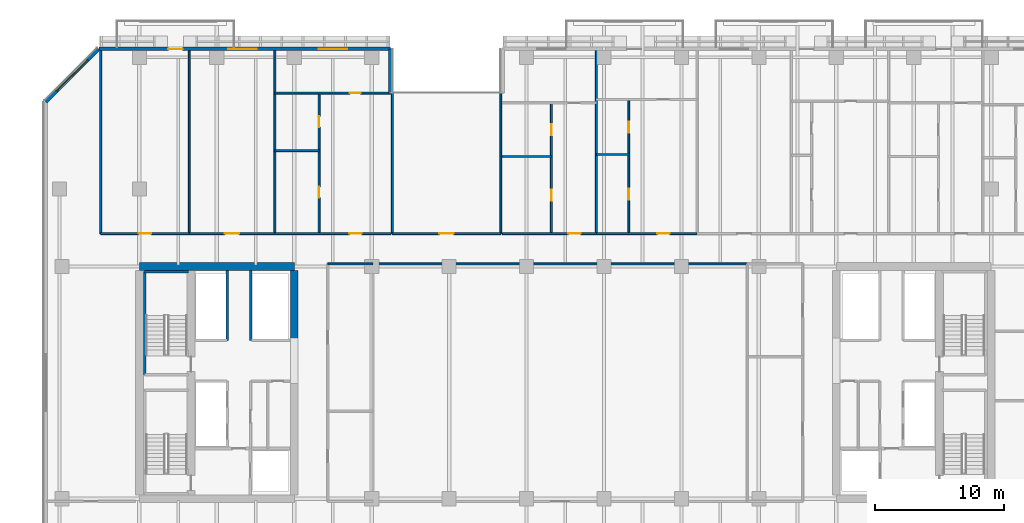
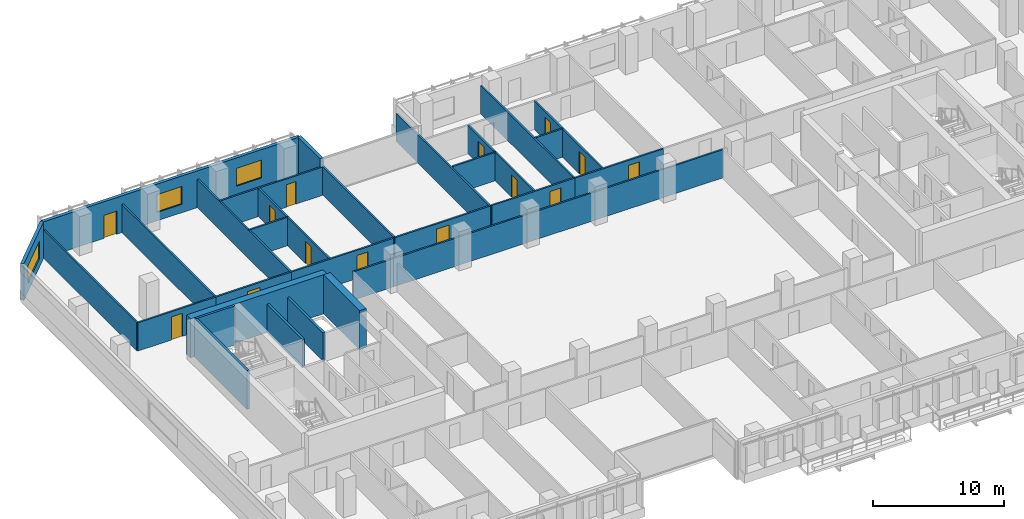
# One storey, part 13 of 26: 30 walls, 14 doors, 3 windows, 17 openings.
"""IFC4 building model written with IfcOpenShell, lengths in metres."""

from ifc_helpers import new_model, si_unit, direction, frame, frame_2d, origin, place, context, subcontext, project, spatial, rectangle, extrude, material, layer, layer_set, type_object, element, fill, save


model = new_model("IFC4")

# Units and contexts
model_context = context("Model", 3, precision=1e-05, world=origin(), true_north=direction((0.0, 1.0)))
body_context = subcontext(model_context, "Body", "Model", "MODEL_VIEW")
ifc_project = project(units=[si_unit("LENGTHUNIT", "METRE"), si_unit("AREAUNIT", "SQUARE_METRE"), si_unit("VOLUMEUNIT", "CUBIC_METRE"), si_unit("PLANEANGLEUNIT", "RADIAN"), si_unit("MASSUNIT", "GRAM", prefix="KILO")], contexts=[model_context])

# Site, building, storey
site_placement = place(None, origin())
site = spatial("IfcSite", under=ifc_project, at=site_placement, CompositionType="ELEMENT")
building_placement = place(site_placement, origin())
building = spatial("IfcBuilding", under=site, at=building_placement, Name="Tanjung Sevakor Pilgrim Tower", CompositionType="ELEMENT")
storey_placement = place(building_placement, frame((0.0, 0.0, 66.0)))
storey = spatial("IfcBuildingStorey", under=building, at=storey_placement, Name="L18", CompositionType="ELEMENT", Elevation=66.0)

# Walls
ifc_material_1 = material(Name="Concrete C60/75", Category="concrete")
ifc_layer_1 = layer(ifc_material_1, 0.60009765625)
ifc_layer_set_1 = layer_set([ifc_layer_1], Name="WALL-CW-600")
wall_type_1 = type_object("IfcWallType", Name="WALL-CW-600", PredefinedType="SHEAR", material=ifc_layer_set_1)
wall_1_placement = place(storey_placement, frame((36.0, 42.60009765625, 0.0), z_axis=(0.0, 0.0, 1.0), x_axis=(-1.0, 0.0, 0.0)))
element("IfcWall", 1, at=wall_1_placement, inside=storey, type_object=wall_type_1, Name="L18 W Core North Shear Wall", PredefinedType="SHEAR", context=body_context, shape_type="SweptSolid", body=[
    extrude(rectangle(XDim=12.0, YDim=0.60009765625, at=frame_2d((6.0, 0.0))), origin(), (0.0, 0.0, 1.0), 3.6298828125),
])
wall_2_placement = place(storey_placement, frame((36.0, 36.800048828125, 0.0), z_axis=(0.0, 0.0, 1.0), x_axis=(0.0, 1.0, 0.0)))
element("IfcWall", 2, at=wall_2_placement, inside=storey, type_object=wall_type_1, Name="L18 W Core Inner Shear Wall North", PredefinedType="SHEAR", context=body_context, shape_type="SweptSolid", body=[
    extrude(rectangle(XDim=5.5, YDim=0.60009765625, at=frame_2d((2.75, 0.0))), origin(), (0.0, 0.0, 1.0), 3.6298828125),
])
ifc_material_2 = material(Name="Concrete C40/50", Category="concrete")
ifc_layer_2 = layer(ifc_material_2, 0.14990234375)
ifc_layer_set_2 = layer_set([ifc_layer_2], Name="WT-COMP-150")
wall_type_2 = type_object("IfcWallType", Name="WT-COMP-150", PredefinedType="SOLIDWALL", material=ifc_layer_set_2)
wall_3_placement = place(storey_placement, frame((38.60009765625, 42.800048828125, 0.0), z_axis=(0.0, 0.0, 1.0), x_axis=(1.0, 0.0, 0.0)))
element("IfcWall", 3, at=wall_3_placement, inside=storey, type_object=wall_type_2, Name="L18 Partition IW-L18-028", PredefinedType="SOLIDWALL", context=body_context, shape_type="SweptSolid", body=[
    extrude(rectangle(XDim=3.5, YDim=0.14990234375, at=frame_2d((1.75, 0.0))), origin(), (0.0, 0.0, 1.0), 2.625244140625),
])
wall_4_placement = place(storey_placement, frame((42.10009765625, 42.800048828125, 0.0), z_axis=(0.0, 0.0, 1.0), x_axis=(1.0, 0.0, 0.0)))
element("IfcWall", 4, at=wall_4_placement, inside=storey, type_object=wall_type_2, Name="L18 Partition IW-L18-031", PredefinedType="SOLIDWALL", context=body_context, shape_type="SweptSolid", body=[
    extrude(rectangle(XDim=29.0, YDim=0.14990234375, at=frame_2d((14.5, 0.0))), origin(), (0.0, 0.0, 1.0), 2.625244140625),
])

# Wall, opening, door
wall_5_placement = place(storey_placement, frame((43.60009765625, 45.14990234375, 0.0), z_axis=(0.0, 0.0, 1.0), x_axis=(1.0, 0.0, 0.0)))
wall_5 = element("IfcWall", 5, at=wall_5_placement, inside=storey, type_object=wall_type_2, Name="L18 Partition IW-L18-049", PredefinedType="SOLIDWALL", context=body_context, shape_type="SweptSolid", body=[
    extrude(rectangle(XDim=8.39990234375, YDim=0.14990234375, at=frame_2d((4.199951171875, 0.0))), origin(), (0.0, 0.0, 1.0), 2.6298828125),
])
opening_1_placement = place(wall_5_placement, frame((3.64990234375, 0.0, 0.0)))
opening_1 = element("IfcOpeningElement", 6, at=opening_1_placement, cuts=wall_5, Name="Opening ID-RM2", PredefinedType="OPENING", context=body_context, shape_type="SweptSolid", body=[
    extrude(rectangle(XDim=1.10009765625, YDim=2.14990234375, at=frame_2d((0.550048828125, 1.074951171875))), frame((0.0, 0.0849609375, 0.0), z_axis=(0.0, -1.0, 0.0), x_axis=(1.0, 0.0, 0.0)), (0.0, 0.0, 1.0), 0.169921875),
])
ifc_material_3 = material(Name="Hardwood Timber", Category="wood")
door_type_1 = type_object("IfcDoorType", Name="DT-INT-1100", OperationType="NOTDEFINED", PredefinedType="DOOR", material=ifc_material_3)
door_1_placement = place(opening_1_placement, origin())
door_1 = element("IfcDoor", 7, at=door_1_placement, inside=storey, type_object=door_type_1, Name="L18 North Cleft Seminar Room Door", OperationType="SINGLE_SWING_LEFT", OverallHeight=2.14990234375, OverallWidth=1.10009765625, PredefinedType="DOOR", context=body_context, shape_type="SweptSolid", body=[
    extrude(rectangle(XDim=1.10009765625, YDim=2.14990234375, at=frame_2d((0.550048828125, 1.074951171875))), frame((0.0, 0.02490234375, 0.0), z_axis=(0.0, -1.0, 0.0), x_axis=(1.0, 0.0, 0.0)), (0.0, 0.0, 1.0), 0.050048828125),
])
fill(opening_1, door_1)

# Walls
for number, where, z_axis, x_axis, name in (
    (8, (43.60009765625, 45.14990234375, 0.0), (0.0, 0.0, 1.0), (0.0, 1.0, 0.0), "L18 Partition IW-L18-050"),
    (9, (52.0, 45.14990234375, 0.0), (0.0, 0.0, 1.0), (0.0, 1.0, 0.0), "L18 Partition IW-L18-051"),
    (10, (21.0, 45.14990234375, 0.0), (0.0, 0.0, 1.0), (0.0, 1.0, 0.0), "L18 Partition IW-L18-082"),
    (11, (27.864013671875, 45.14990234375, 0.0), (0.0, 0.0, 1.0), (0.0, 1.0, 0.0), "L18 Partition IW-L18-083"),
):
    element("IfcWall", number, at=place(storey_placement, frame(where, z_axis=z_axis, x_axis=x_axis)), inside=storey, type_object=wall_type_2, Name=name, PredefinedType="SOLIDWALL", context=body_context, shape_type="SweptSolid", body=[
        extrude(rectangle(XDim=14.170166015625, YDim=0.14990234375, at=frame_2d((7.0849609375, 0.0))), origin(), (0.0, 0.0, 1.0), 2.6298828125),
    ])

# Wall, opening, door
wall_6_placement = place(storey_placement, frame((21.0, 45.14990234375, 0.0), z_axis=(0.0, 0.0, 1.0), x_axis=(1.0, 0.0, 0.0)))
wall_6 = element("IfcWall", 12, at=wall_6_placement, inside=storey, type_object=wall_type_2, Name="L18 Partition IW-L18-084", PredefinedType="SOLIDWALL", context=body_context, shape_type="SweptSolid", body=[
    extrude(rectangle(XDim=6.864013671875, YDim=0.14990234375, at=frame_2d((3.43212890625, 0.0))), origin(), (0.0, 0.0, 1.0), 2.6298828125),
])
opening_2_placement = place(wall_6_placement, frame((2.95703125, 0.0, 0.0)))
opening_2 = element("IfcOpeningElement", 13, at=opening_2_placement, cuts=wall_6, Name="Opening ID-FD2", PredefinedType="OPENING", context=body_context, shape_type="SweptSolid", body=[
    extrude(rectangle(XDim=0.949951171875, YDim=2.14990234375, at=frame_2d((0.47509765625, 1.074951171875))), frame((0.0, 0.0849609375, 0.0), z_axis=(0.0, -1.0, 0.0), x_axis=(1.0, 0.0, 0.0)), (0.0, 0.0, 1.0), 0.169921875),
])
ifc_material_4 = material(Name="Fire-Rated Timber", Category="wood")
door_type_2 = type_object("IfcDoorType", Name="DT-FIRE-950", OperationType="NOTDEFINED", PredefinedType="DOOR", material=ifc_material_4)
door_2_placement = place(opening_2_placement, origin())
door_2 = element("IfcDoor", 14, at=door_2_placement, inside=storey, type_object=door_type_2, Name="Study Room Entrance", OperationType="SINGLE_SWING_LEFT", OverallHeight=2.14990234375, OverallWidth=0.949951171875, PredefinedType="DOOR", context=body_context, shape_type="SweptSolid", body=[
    extrude(rectangle(XDim=0.949951171875, YDim=2.14990234375, at=frame_2d((0.47509765625, 1.074951171875))), frame((0.0, 0.02490234375, 0.0), z_axis=(0.0, -1.0, 0.0), x_axis=(1.0, 0.0, 0.0)), (0.0, 0.0, 1.0), 0.050048828125),
])
fill(opening_2, door_2)

# Wall
wall_7_placement = place(storey_placement, frame((34.49951171875, 45.14990234375, 0.0), z_axis=(0.0, 0.0, 1.0), x_axis=(0.0, 1.0, 0.0)))
element("IfcWall", 15, at=wall_7_placement, inside=storey, type_object=wall_type_2, Name="L18 Partition IW-L18-085", PredefinedType="SOLIDWALL", context=body_context, shape_type="SweptSolid", body=[
    extrude(rectangle(XDim=14.170166015625, YDim=0.14990234375, at=frame_2d((7.0849609375, 0.0))), origin(), (0.0, 0.0, 1.0), 2.6298828125),
])

# Wall, opening, door
wall_8_placement = place(storey_placement, frame((27.864013671875, 45.14990234375, 0.0), z_axis=(0.0, 0.0, 1.0), x_axis=(1.0, 0.0, 0.0)))
wall_8 = element("IfcWall", 16, at=wall_8_placement, inside=storey, type_object=wall_type_2, Name="L18 Partition IW-L18-086", PredefinedType="SOLIDWALL", context=body_context, shape_type="SweptSolid", body=[
    extrude(rectangle(XDim=6.635498046875, YDim=0.14990234375, at=frame_2d((3.31787109375, 0.0))), origin(), (0.0, 0.0, 1.0), 2.6298828125),
])
opening_3_placement = place(wall_8_placement, frame((2.767578125, 0.0, 0.0)))
opening_3 = element("IfcOpeningElement", 17, at=opening_3_placement, cuts=wall_8, Name="Opening ID-FD0", PredefinedType="OPENING", context=body_context, shape_type="SweptSolid", body=[
    extrude(rectangle(XDim=1.10009765625, YDim=2.14990234375, at=frame_2d((0.550048828125, 1.074951171875))), frame((0.0, 0.0849609375, 0.0), z_axis=(0.0, -1.0, 0.0), x_axis=(1.0, 0.0, 0.0)), (0.0, 0.0, 1.0), 0.169921875),
])
ifc_material_5 = material(Name="Fire-Rated Steel S355J2", Category="steel")
door_type_3 = type_object("IfcDoorType", Name="DT-FIRE-1100", OperationType="NOTDEFINED", PredefinedType="DOOR", material=ifc_material_5)
door_3_placement = place(opening_3_placement, origin())
door_3 = element("IfcDoor", 18, at=door_3_placement, inside=storey, type_object=door_type_3, Name="Seminar Room Door", OperationType="SINGLE_SWING_RIGHT", OverallHeight=2.14990234375, OverallWidth=1.10009765625, PredefinedType="DOOR", context=body_context, shape_type="SweptSolid", body=[
    extrude(rectangle(XDim=1.10009765625, YDim=2.14990234375, at=frame_2d((0.550048828125, 1.074951171875))), frame((0.0, 0.02490234375, 0.0), z_axis=(0.0, -1.0, 0.0), x_axis=(1.0, 0.0, 0.0)), (0.0, 0.0, 1.0), 0.050048828125),
])
fill(opening_3, door_3)

wall_9_placement = place(storey_placement, frame((34.49951171875, 45.14990234375, 0.0), z_axis=(0.0, 0.0, 1.0), x_axis=(1.0, 0.0, 0.0)))
wall_9 = element("IfcWall", 19, at=wall_9_placement, inside=storey, type_object=wall_type_2, Name="L18 Partition IW-L18-090", PredefinedType="SOLIDWALL", context=body_context, shape_type="SweptSolid", body=[
    extrude(rectangle(XDim=8.98046875, YDim=0.14990234375, at=frame_2d((4.490234375, 0.0))), origin(), (0.0, 0.0, 1.0), 2.6298828125),
])
opening_4_placement = place(wall_9_placement, frame((5.765625, 0.0, 0.0)))
opening_4 = element("IfcOpeningElement", 20, at=opening_4_placement, cuts=wall_9, Name="Opening ID-FD2", PredefinedType="OPENING", context=body_context, shape_type="SweptSolid", body=[
    extrude(rectangle(XDim=0.949951171875, YDim=2.14990234375, at=frame_2d((0.47509765625, 1.074951171875))), frame((0.0, 0.0849609375, 0.0), z_axis=(0.0, -1.0, 0.0), x_axis=(1.0, 0.0, 0.0)), (0.0, 0.0, 1.0), 0.169921875),
])
door_4_placement = place(opening_4_placement, origin())
door_4 = element("IfcDoor", 21, at=door_4_placement, inside=storey, type_object=door_type_2, Name="Residence Entrance", OperationType="SINGLE_SWING_RIGHT", OverallHeight=2.14990234375, OverallWidth=0.949951171875, PredefinedType="DOOR", context=body_context, shape_type="SweptSolid", body=[
    extrude(rectangle(XDim=0.949951171875, YDim=2.14990234375, at=frame_2d((0.47509765625, 1.074951171875))), frame((0.0, 0.02490234375, 0.0), z_axis=(0.0, -1.0, 0.0), x_axis=(1.0, 0.0, 0.0)), (0.0, 0.0, 1.0), 0.050048828125),
])
fill(opening_4, door_4)

# Wall
wall_10_placement = place(storey_placement, frame((59.416015625, 45.14990234375, 0.0), z_axis=(0.0, 0.0, 1.0), x_axis=(0.0, 1.0, 0.0)))
element("IfcWall", 22, at=wall_10_placement, inside=storey, type_object=wall_type_2, Name="L18 Partition IW-L18-092", PredefinedType="SOLIDWALL", context=body_context, shape_type="SweptSolid", body=[
    extrude(rectangle(XDim=14.170166015625, YDim=0.14990234375, at=frame_2d((7.0849609375, 0.0))), origin(), (0.0, 0.0, 1.0), 2.6298828125),
])

# Wall, opening, door
wall_11_placement = place(storey_placement, frame((52.1201171875, 45.14990234375, 0.0), z_axis=(0.0, 0.0, 1.0), x_axis=(1.0, 0.0, 0.0)))
wall_11 = element("IfcWall", 23, at=wall_11_placement, inside=storey, type_object=wall_type_2, Name="L18 Partition IW-L18-096", PredefinedType="SOLIDWALL", context=body_context, shape_type="SweptSolid", body=[
    extrude(rectangle(XDim=7.2958984375, YDim=0.14990234375, at=frame_2d((3.64794921875, 0.0))), origin(), (0.0, 0.0, 1.0), 2.6298828125),
])
opening_5_placement = place(wall_11_placement, frame((5.113037109375, 0.0, 0.0)))
opening_5 = element("IfcOpeningElement", 24, at=opening_5_placement, cuts=wall_11, Name="Opening ID-FD2", PredefinedType="OPENING", context=body_context, shape_type="SweptSolid", body=[
    extrude(rectangle(XDim=0.949951171875, YDim=2.14990234375, at=frame_2d((0.47509765625, 1.074951171875))), frame((0.0, 0.0849609375, 0.0), z_axis=(0.0, -1.0, 0.0), x_axis=(1.0, 0.0, 0.0)), (0.0, 0.0, 1.0), 0.169921875),
])
door_5_placement = place(opening_5_placement, origin())
door_5 = element("IfcDoor", 25, at=door_5_placement, inside=storey, type_object=door_type_2, Name="Residence Entrance", OperationType="SINGLE_SWING_RIGHT", OverallHeight=2.14990234375, OverallWidth=0.949951171875, PredefinedType="DOOR", context=body_context, shape_type="SweptSolid", body=[
    extrude(rectangle(XDim=0.949951171875, YDim=2.14990234375, at=frame_2d((0.47509765625, 1.074951171875))), frame((0.0, 0.02490234375, 0.0), z_axis=(0.0, -1.0, 0.0), x_axis=(1.0, 0.0, 0.0)), (0.0, 0.0, 1.0), 0.050048828125),
])
fill(opening_5, door_5)

wall_12_placement = place(storey_placement, frame((59.416015625, 45.14990234375, 0.0), z_axis=(0.0, 0.0, 1.0), x_axis=(1.0, 0.0, 0.0)))
wall_12 = element("IfcWall", 26, at=wall_12_placement, inside=storey, type_object=wall_type_2, Name="L18 Partition IW-L18-101", PredefinedType="SOLIDWALL", context=body_context, shape_type="SweptSolid", body=[
    extrude(rectangle(XDim=7.79931640625, YDim=0.14990234375, at=frame_2d((3.899658203125, 0.0))), origin(), (0.0, 0.0, 1.0), 2.6298828125),
])
opening_6_placement = place(wall_12_placement, frame((4.716552734375, 0.0, 0.0)))
opening_6 = element("IfcOpeningElement", 27, at=opening_6_placement, cuts=wall_12, Name="Opening ID-FD2", PredefinedType="OPENING", context=body_context, shape_type="SweptSolid", body=[
    extrude(rectangle(XDim=0.949951171875, YDim=2.14990234375, at=frame_2d((0.47509765625, 1.074951171875))), frame((0.0, 0.0849609375, 0.0), z_axis=(0.0, -1.0, 0.0), x_axis=(1.0, 0.0, 0.0)), (0.0, 0.0, 1.0), 0.169921875),
])
door_6_placement = place(opening_6_placement, origin())
door_6 = element("IfcDoor", 28, at=door_6_placement, inside=storey, type_object=door_type_2, Name="Residence Entrance", OperationType="SINGLE_SWING_RIGHT", OverallHeight=2.14990234375, OverallWidth=0.949951171875, PredefinedType="DOOR", context=body_context, shape_type="SweptSolid", body=[
    extrude(rectangle(XDim=0.949951171875, YDim=2.14990234375, at=frame_2d((0.47509765625, 1.074951171875))), frame((0.0, 0.02490234375, 0.0), z_axis=(0.0, -1.0, 0.0), x_axis=(1.0, 0.0, 0.0)), (0.0, 0.0, 1.0), 0.050048828125),
])
fill(opening_6, door_6)

# Wall
ifc_material_6 = material(Name="Precast concrete C45/55", Category="concrete")
ifc_layer_3 = layer(ifc_material_6, 0.280029296875)
ifc_layer_set_3 = layer_set([ifc_layer_3], Name="WT-EW-STN2")
wall_type_3 = type_object("IfcWallType", Name="WT-EW-STN2", PredefinedType="SOLIDWALL", material=ifc_layer_set_3)
wall_13_placement = place(storey_placement, frame((43.4599609375, 56.06005859375, 0.0), z_axis=(0.0, 0.0, 1.0), x_axis=(0.0, 1.0, 0.0)))
element("IfcWall", 29, at=wall_13_placement, inside=storey, type_object=wall_type_3, Name="L18 MAIN Exterior Wall 12", PredefinedType="SOLIDWALL", context=body_context, shape_type="SweptSolid", body=[
    extrude(rectangle(XDim=3.39990234375, YDim=0.280029296875, at=frame_2d((1.699951171875, 0.0))), origin(), (0.0, 0.0, 1.0), 3.409912109375),
])

# Wall, openings, door, windows
wall_14_placement = place(storey_placement, frame((43.4599609375, 59.4599609375, 0.0), z_axis=(0.0, 0.0, 1.0), x_axis=(-1.0, 0.0, 0.0)))
wall_14 = element("IfcWall", 30, at=wall_14_placement, inside=storey, type_object=wall_type_3, Name="L18 MAIN Exterior Wall 13", PredefinedType="SOLIDWALL", context=body_context, shape_type="SweptSolid", body=[
    extrude(rectangle(XDim=22.60205078125, YDim=0.280029296875, at=frame_2d((11.301025390625, 0.0))), origin(), (0.0, 0.0, 1.0), 3.409912109375),
])
opening_7_placement = place(wall_14_placement, frame((16.110107421875, 0.0, 0.0)))
opening_7 = element("IfcOpeningElement", 31, at=opening_7_placement, cuts=wall_14, Name="Opening ED-BAL-1100", PredefinedType="OPENING", context=body_context, shape_type="SweptSolid", body=[
    extrude(rectangle(XDim=1.10009765625, YDim=2.14990234375, at=frame_2d((0.550048828125, 1.074951171875))), frame((0.0, 0.14990234375, 0.0), z_axis=(0.0, -1.0, 0.0), x_axis=(1.0, 0.0, 0.0)), (0.0, 0.0, 1.0), 0.300048828125),
])
opening_8_placement = place(wall_14_placement, frame((10.378173828125, 0.0, 0.780029296875)))
opening_8 = element("IfcOpeningElement", 32, at=opening_8_placement, cuts=wall_14, Name="Opening WN-Z1-1660", PredefinedType="OPENING", context=body_context, shape_type="SweptSolid", body=[
    extrude(rectangle(XDim=2.199951171875, YDim=1.659912109375, at=frame_2d((1.10009765625, 0.830078125))), frame((0.0, 0.14990234375, 0.0), z_axis=(0.0, -1.0, 0.0), x_axis=(1.0, 0.0, 0.0)), (0.0, 0.0, 1.0), 0.300048828125),
])
opening_9_placement = place(wall_14_placement, frame((3.370361328125, 0.0, 0.780029296875)))
opening_9 = element("IfcOpeningElement", 33, at=opening_9_placement, cuts=wall_14, Name="Opening WN-Z1-1660", PredefinedType="OPENING", context=body_context, shape_type="SweptSolid", body=[
    extrude(rectangle(XDim=2.199951171875, YDim=1.659912109375, at=frame_2d((1.10009765625, 0.830078125))), frame((0.0, 0.14990234375, 0.0), z_axis=(0.0, -1.0, 0.0), x_axis=(1.0, 0.0, 0.0)), (0.0, 0.0, 1.0), 0.300048828125),
])
ifc_material_7 = material(Name="Anodised Aluminium and Laminated Glass", Category="aluminium")
door_type_4 = type_object("IfcDoorType", Name="DTYP-ED-BAL-1100", OperationType="NOTDEFINED", PredefinedType="DOOR", material=ifc_material_7)
door_7_placement = place(opening_7_placement, frame((1.10009765625, 0.0, 0.0), z_axis=(0.0, 0.0, 1.0), x_axis=(-1.0, 0.0, 0.0)))
door_7 = element("IfcDoor", 34, at=door_7_placement, inside=storey, type_object=door_type_4, Name="L18 Balcony Door MAIN-N1", OperationType="SINGLE_SWING_RIGHT", OverallHeight=2.14990234375, OverallWidth=1.10009765625, PredefinedType="DOOR", context=body_context, shape_type="SweptSolid", body=[
    extrude(rectangle(XDim=1.10009765625, YDim=2.14990234375, at=frame_2d((0.550048828125, 1.074951171875))), frame((0.0, 0.02490234375, 0.0), z_axis=(0.0, -1.0, 0.0), x_axis=(1.0, 0.0, 0.0)), (0.0, 0.0, 1.0), 0.050048828125),
])
fill(opening_7, door_7)
ifc_material_8 = material(Name="Thermally Broken Aluminium and Low-E Glass", Category="aluminium")
window_type_1 = type_object("IfcWindowType", Name="WTYP-WN-Z1-1660", PartitioningType="DOUBLE_PANEL_VERTICAL", PredefinedType="WINDOW", material=ifc_material_8)
window_1_placement = place(opening_8_placement, origin())
window_1 = element("IfcWindow", 35, at=window_1_placement, inside=storey, type_object=window_type_1, Name="L18 Facade Window 01", OverallHeight=1.659912109375, OverallWidth=2.199951171875, PartitioningType="SINGLE_PANEL", PredefinedType="WINDOW", context=body_context, shape_type="SweptSolid", body=[
    extrude(rectangle(XDim=2.199951171875, YDim=1.659912109375, at=frame_2d((1.10009765625, 0.830078125))), frame((0.0, 0.030029296875, 0.0), z_axis=(0.0, -1.0, 0.0), x_axis=(1.0, 0.0, 0.0)), (0.0, 0.0, 1.0), 0.06005859375),
])
fill(opening_8, window_1)
window_2_placement = place(opening_9_placement, origin())
window_2 = element("IfcWindow", 36, at=window_2_placement, inside=storey, type_object=window_type_1, Name="L18 Facade Window 02", OverallHeight=1.659912109375, OverallWidth=2.199951171875, PartitioningType="SINGLE_PANEL", PredefinedType="WINDOW", context=body_context, shape_type="SweptSolid", body=[
    extrude(rectangle(XDim=2.199951171875, YDim=1.659912109375, at=frame_2d((1.10009765625, 0.830078125))), frame((0.0, 0.030029296875, 0.0), z_axis=(0.0, -1.0, 0.0), x_axis=(1.0, 0.0, 0.0)), (0.0, 0.0, 1.0), 0.06005859375),
])
fill(opening_9, window_2)

# Wall, opening, window
wall_15_placement = place(storey_placement, frame((20.85791015625, 59.4599609375, 0.0), z_axis=(0.0, 0.0, 1.0), x_axis=(-0.707106781187, -0.707106781187, 0.0)))
wall_15 = element("IfcWall", 37, at=wall_15_placement, inside=storey, type_object=wall_type_3, Name="L18 MAIN Sculpted Corner Wall 13", PredefinedType="SOLIDWALL", context=body_context, shape_type="SweptSolid", body=[
    extrude(rectangle(XDim=5.82373046875, YDim=0.280029296875, at=frame_2d((2.911865234375, 0.0))), origin(), (0.0, 0.0, 1.0), 3.409912109375),
])
opening_10_placement = place(wall_15_placement, frame((1.2119140625, 0.0, 0.780029296875)))
opening_10 = element("IfcOpeningElement", 38, at=opening_10_placement, cuts=wall_15, Name="Opening WN-CHM-1660", PredefinedType="OPENING", context=body_context, shape_type="SweptSolid", body=[
    extrude(rectangle(XDim=3.39990234375, YDim=1.659912109375, at=frame_2d((1.699951171875, 0.830078125))), frame((0.0, 0.14990234375, 0.0), z_axis=(0.0, -1.0, 0.0), x_axis=(1.0, 0.0, 0.0)), (0.0, 0.0, 1.0), 0.300048828125),
])
ifc_material_9 = material(Name="Thermally Broken Aluminium and Low-E Glass", Category="aluminium")
window_type_2 = type_object("IfcWindowType", Name="WTYP-WN-CHM-1660", PartitioningType="DOUBLE_PANEL_VERTICAL", PredefinedType="WINDOW", material=ifc_material_9)
window_3_placement = place(opening_10_placement, origin())
window_3 = element("IfcWindow", 39, at=window_3_placement, inside=storey, type_object=window_type_2, Name="L18 Facade Window 01", OverallHeight=1.659912109375, OverallWidth=3.39990234375, PartitioningType="SINGLE_PANEL", PredefinedType="WINDOW", context=body_context, shape_type="SweptSolid", body=[
    extrude(rectangle(XDim=3.39990234375, YDim=1.659912109375, at=frame_2d((1.699951171875, 0.830078125))), frame((0.0, 0.030029296875, 0.0), z_axis=(0.0, -1.0, 0.0), x_axis=(1.0, 0.0, 0.0)), (0.0, 0.0, 1.0), 0.06005859375),
])
fill(opening_10, window_3)

# Walls
ifc_material_10 = material(Name="Concrete C40/50", Category="concrete")
ifc_layer_4 = layer(ifc_material_10, 0.199951171875)
ifc_layer_set_4 = layer_set([ifc_layer_4], Name="WT-FIRE-200")
wall_type_4 = type_object("IfcWallType", Name="WT-FIRE-200", PredefinedType="SOLIDWALL", material=ifc_layer_set_4)
wall_16_placement = place(storey_placement, frame((27.800048828125, 42.199951171875, 0.0), z_axis=(0.0, 0.0, 1.0), x_axis=(-1.0, 0.0, 0.0)))
element("IfcWall", 40, at=wall_16_placement, inside=storey, type_object=wall_type_4, Name="L18 TS-W2 Shaft Wall 2", PredefinedType="SOLIDWALL", context=body_context, shape_type="SweptSolid", body=[
    extrude(rectangle(XDim=3.400146484375, YDim=0.199951171875, at=frame_2d((1.7001953125, 0.0))), origin(), (0.0, 0.0, 1.0), 3.6298828125),
])
wall_17_placement = place(storey_placement, frame((24.39990234375, 42.199951171875, 0.0), z_axis=(0.0, 0.0, 1.0), x_axis=(0.0, -1.0, 0.0)))
element("IfcWall", 41, at=wall_17_placement, inside=storey, type_object=wall_type_4, Name="L18 TS-W2 Shaft Wall 3", PredefinedType="SOLIDWALL", context=body_context, shape_type="SweptSolid", body=[
    extrude(rectangle(XDim=8.0, YDim=0.199951171875, at=frame_2d((4.0, 0.0))), origin(), (0.0, 0.0, 1.0), 3.6298828125),
])
ifc_material_11 = material(Name="Concrete C40/50", Category="concrete")
ifc_layer_5 = layer(ifc_material_11, 0.199951171875)
ifc_layer_set_5 = layer_set([ifc_layer_5], Name="WT-FPRT-200")
wall_type_5 = type_object("IfcWallType", Name="WT-FPRT-200", PredefinedType="SOLIDWALL", material=ifc_layer_set_5)
for number, where, z_axis, x_axis, name in (
    (42, (30.820068359375, 36.8798828125, 0.0), (0.0, 0.0, 1.0), (0.0, 1.0, 0.0), "L18 Partition IW-L18-010"),
    (43, (32.6201171875, 36.8798828125, 0.0), (0.0, 0.0, 1.0), (0.0, 1.0, 0.0), "L18 Partition IW-L18-012"),
):
    element("IfcWall", number, at=place(storey_placement, frame(where, z_axis=z_axis, x_axis=x_axis)), inside=storey, type_object=wall_type_5, Name=name, PredefinedType="SOLIDWALL", context=body_context, shape_type="SweptSolid", body=[
        extrude(rectangle(XDim=5.420166015625, YDim=0.199951171875, at=frame_2d((2.7099609375, 0.0))), origin(), (0.0, 0.0, 1.0), 2.6298828125),
    ])
ifc_material_12 = material(Name="Gypsum Board Partition", Category="gypsum board")
ifc_layer_6 = layer(ifc_material_12, 0.14990234375)
ifc_layer_set_6 = layer_set([ifc_layer_6], Name="WT-PART-150")
wall_type_6 = type_object("IfcWallType", Name="WT-PART-150", PredefinedType="PARTITIONING", material=ifc_layer_set_6)
wall_18_placement = place(storey_placement, frame((34.49951171875, 51.572265625, 0.0), z_axis=(0.0, 0.0, 1.0), x_axis=(1.0, 0.0, 0.0)))
element("IfcWall", 44, at=wall_18_placement, inside=storey, type_object=wall_type_6, Name="L18 Partition IW-L18-087", PredefinedType="PARTITIONING", context=body_context, shape_type="SweptSolid", body=[
    extrude(rectangle(XDim=3.42041015625, YDim=0.14990234375, at=frame_2d((1.710205078125, 0.0))), origin(), (0.0, 0.0, 1.0), 2.6298828125),
])

# Wall, openings, doors
wall_19_placement = place(storey_placement, frame((37.919921875, 45.14990234375, 0.0), z_axis=(0.0, 0.0, 1.0), x_axis=(0.0, 1.0, 0.0)))
wall_19 = element("IfcWall", 45, at=wall_19_placement, inside=storey, type_object=wall_type_6, Name="L18 Partition IW-L18-088", PredefinedType="PARTITIONING", context=body_context, shape_type="SweptSolid", body=[
    extrude(rectangle(XDim=10.88525390625, YDim=0.14990234375, at=frame_2d((5.442626953125, 0.0))), origin(), (0.0, 0.0, 1.0), 2.6298828125),
])
opening_11_placement = place(wall_19_placement, frame((2.7861328125, 0.0, 0.0)))
opening_11 = element("IfcOpeningElement", 46, at=opening_11_placement, cuts=wall_19, Name="Opening ID-WC1", PredefinedType="OPENING", context=body_context, shape_type="SweptSolid", body=[
    extrude(rectangle(XDim=0.85009765625, YDim=2.10009765625, at=frame_2d((0.425048828125, 1.050048828125))), frame((0.0, 0.0849609375, 0.0), z_axis=(0.0, -1.0, 0.0), x_axis=(1.0, 0.0, 0.0)), (0.0, 0.0, 1.0), 0.169921875),
])
opening_12_placement = place(wall_19_placement, frame((8.228759765625, 0.0, 0.0)))
opening_12 = element("IfcOpeningElement", 47, at=opening_12_placement, cuts=wall_19, Name="Opening ID-WC1", PredefinedType="OPENING", context=body_context, shape_type="SweptSolid", body=[
    extrude(rectangle(XDim=0.85009765625, YDim=2.10009765625, at=frame_2d((0.425048828125, 1.050048828125))), frame((0.0, 0.0849609375, 0.0), z_axis=(0.0, -1.0, 0.0), x_axis=(1.0, 0.0, 0.0)), (0.0, 0.0, 1.0), 0.169921875),
])
ifc_material_13 = material(Name="Moisture-Resistant Timber", Category="wood")
door_type_5 = type_object("IfcDoorType", Name="DT-INT-850", OperationType="NOTDEFINED", PredefinedType="DOOR", material=ifc_material_13)
door_8_placement = place(opening_11_placement, origin())
door_8 = element("IfcDoor", 48, at=door_8_placement, inside=storey, type_object=door_type_5, Name="Residence Kitchenette Door", OperationType="SINGLE_SWING_LEFT", OverallHeight=2.10009765625, OverallWidth=0.85009765625, PredefinedType="DOOR", context=body_context, shape_type="SweptSolid", body=[
    extrude(rectangle(XDim=0.85009765625, YDim=2.10009765625, at=frame_2d((0.425048828125, 1.050048828125))), frame((0.0, 0.02490234375, 0.0), z_axis=(0.0, -1.0, 0.0), x_axis=(1.0, 0.0, 0.0)), (0.0, 0.0, 1.0), 0.050048828125),
])
fill(opening_11, door_8)
door_9_placement = place(opening_12_placement, origin())
door_9 = element("IfcDoor", 49, at=door_9_placement, inside=storey, type_object=door_type_5, Name="Residence Bathroom Door", OperationType="SINGLE_SWING_RIGHT", OverallHeight=2.10009765625, OverallWidth=0.85009765625, PredefinedType="DOOR", context=body_context, shape_type="SweptSolid", body=[
    extrude(rectangle(XDim=0.85009765625, YDim=2.10009765625, at=frame_2d((0.425048828125, 1.050048828125))), frame((0.0, 0.02490234375, 0.0), z_axis=(0.0, -1.0, 0.0), x_axis=(1.0, 0.0, 0.0)), (0.0, 0.0, 1.0), 0.050048828125),
])
fill(opening_12, door_9)

# Wall, opening, door
wall_20_placement = place(storey_placement, frame((34.49951171875, 56.03515625, 0.0), z_axis=(0.0, 0.0, 1.0), x_axis=(1.0, 0.0, 0.0)))
wall_20 = element("IfcWall", 50, at=wall_20_placement, inside=storey, type_object=wall_type_6, Name="L18 Partition IW-L18-089", PredefinedType="PARTITIONING", context=body_context, shape_type="SweptSolid", body=[
    extrude(rectangle(XDim=8.98046875, YDim=0.14990234375, at=frame_2d((4.490234375, 0.0))), origin(), (0.0, 0.0, 1.0), 2.6298828125),
])
opening_13_placement = place(wall_20_placement, frame((5.815673828125, 0.0, 0.0)))
opening_13 = element("IfcOpeningElement", 51, at=opening_13_placement, cuts=wall_20, Name="Opening ID-WC1", PredefinedType="OPENING", context=body_context, shape_type="SweptSolid", body=[
    extrude(rectangle(XDim=0.85009765625, YDim=2.10009765625, at=frame_2d((0.425048828125, 1.050048828125))), frame((0.0, 0.0849609375, 0.0), z_axis=(0.0, -1.0, 0.0), x_axis=(1.0, 0.0, 0.0)), (0.0, 0.0, 1.0), 0.169921875),
])
door_10_placement = place(opening_13_placement, origin())
door_10 = element("IfcDoor", 52, at=door_10_placement, inside=storey, type_object=door_type_5, Name="Residence Bedroom Door", OperationType="SINGLE_SWING_LEFT", OverallHeight=2.10009765625, OverallWidth=0.85009765625, PredefinedType="DOOR", context=body_context, shape_type="SweptSolid", body=[
    extrude(rectangle(XDim=0.85009765625, YDim=2.10009765625, at=frame_2d((0.425048828125, 1.050048828125))), frame((0.0, 0.02490234375, 0.0), z_axis=(0.0, -1.0, 0.0), x_axis=(1.0, 0.0, 0.0)), (0.0, 0.0, 1.0), 0.050048828125),
])
fill(opening_13, door_10)

# Wall
wall_21_placement = place(storey_placement, frame((52.1201171875, 51.124755859375, 0.0), z_axis=(0.0, 0.0, 1.0), x_axis=(1.0, 0.0, 0.0)))
element("IfcWall", 53, at=wall_21_placement, inside=storey, type_object=wall_type_6, Name="L18 Partition IW-L18-093", PredefinedType="PARTITIONING", context=body_context, shape_type="SweptSolid", body=[
    extrude(rectangle(XDim=3.7998046875, YDim=0.14990234375, at=frame_2d((1.89990234375, 0.0))), origin(), (0.0, 0.0, 1.0), 2.6298828125),
])

# Wall, openings, doors
wall_22_placement = place(storey_placement, frame((55.919921875, 45.14990234375, 0.0), z_axis=(0.0, 0.0, 1.0), x_axis=(0.0, 1.0, 0.0)))
wall_22 = element("IfcWall", 54, at=wall_22_placement, inside=storey, type_object=wall_type_6, Name="L18 Partition IW-L18-094", PredefinedType="PARTITIONING", context=body_context, shape_type="SweptSolid", body=[
    extrude(rectangle(XDim=10.126708984375, YDim=0.14990234375, at=frame_2d((5.0634765625, 0.0))), origin(), (0.0, 0.0, 1.0), 2.6298828125),
])
opening_14_placement = place(wall_22_placement, frame((2.5625, 0.0, 0.0)))
opening_14 = element("IfcOpeningElement", 55, at=opening_14_placement, cuts=wall_22, Name="Opening ID-WC1", PredefinedType="OPENING", context=body_context, shape_type="SweptSolid", body=[
    extrude(rectangle(XDim=0.85009765625, YDim=2.10009765625, at=frame_2d((0.425048828125, 1.050048828125))), frame((0.0, 0.0849609375, 0.0), z_axis=(0.0, -1.0, 0.0), x_axis=(1.0, 0.0, 0.0)), (0.0, 0.0, 1.0), 0.169921875),
])
opening_15_placement = place(wall_22_placement, frame((7.625732421875, 0.0, 0.0)))
opening_15 = element("IfcOpeningElement", 56, at=opening_15_placement, cuts=wall_22, Name="Opening ID-WC1", PredefinedType="OPENING", context=body_context, shape_type="SweptSolid", body=[
    extrude(rectangle(XDim=0.85009765625, YDim=2.10009765625, at=frame_2d((0.425048828125, 1.050048828125))), frame((0.0, 0.0849609375, 0.0), z_axis=(0.0, -1.0, 0.0), x_axis=(1.0, 0.0, 0.0)), (0.0, 0.0, 1.0), 0.169921875),
])
door_11_placement = place(opening_14_placement, origin())
door_11 = element("IfcDoor", 57, at=door_11_placement, inside=storey, type_object=door_type_5, Name="Residence Kitchenette Door", OperationType="SINGLE_SWING_LEFT", OverallHeight=2.10009765625, OverallWidth=0.85009765625, PredefinedType="DOOR", context=body_context, shape_type="SweptSolid", body=[
    extrude(rectangle(XDim=0.85009765625, YDim=2.10009765625, at=frame_2d((0.425048828125, 1.050048828125))), frame((0.0, 0.02490234375, 0.0), z_axis=(0.0, -1.0, 0.0), x_axis=(1.0, 0.0, 0.0)), (0.0, 0.0, 1.0), 0.050048828125),
])
fill(opening_14, door_11)
door_12_placement = place(opening_15_placement, origin())
door_12 = element("IfcDoor", 58, at=door_12_placement, inside=storey, type_object=door_type_5, Name="Residence Bathroom Door", OperationType="SINGLE_SWING_RIGHT", OverallHeight=2.10009765625, OverallWidth=0.85009765625, PredefinedType="DOOR", context=body_context, shape_type="SweptSolid", body=[
    extrude(rectangle(XDim=0.85009765625, YDim=2.10009765625, at=frame_2d((0.425048828125, 1.050048828125))), frame((0.0, 0.02490234375, 0.0), z_axis=(0.0, -1.0, 0.0), x_axis=(1.0, 0.0, 0.0)), (0.0, 0.0, 1.0), 0.050048828125),
])
fill(opening_15, door_12)

# Wall
wall_23_placement = place(storey_placement, frame((59.416015625, 51.27880859375, 0.0), z_axis=(0.0, 0.0, 1.0), x_axis=(1.0, 0.0, 0.0)))
element("IfcWall", 59, at=wall_23_placement, inside=storey, type_object=wall_type_6, Name="L18 Partition IW-L18-098", PredefinedType="PARTITIONING", context=body_context, shape_type="SweptSolid", body=[
    extrude(rectangle(XDim=2.50390625, YDim=0.14990234375, at=frame_2d((1.251953125, 0.0))), origin(), (0.0, 0.0, 1.0), 2.6298828125),
])

# Wall, openings, doors
wall_24_placement = place(storey_placement, frame((61.919921875, 45.14990234375, 0.0), z_axis=(0.0, 0.0, 1.0), x_axis=(0.0, 1.0, 0.0)))
wall_24 = element("IfcWall", 60, at=wall_24_placement, inside=storey, type_object=wall_type_6, Name="L18 Partition IW-L18-099", PredefinedType="PARTITIONING", context=body_context, shape_type="SweptSolid", body=[
    extrude(rectangle(XDim=10.3876953125, YDim=0.14990234375, at=frame_2d((5.19384765625, 0.0))), origin(), (0.0, 0.0, 1.0), 2.6298828125),
])
opening_16_placement = place(wall_24_placement, frame((2.639404296875, 0.0, 0.0)))
opening_16 = element("IfcOpeningElement", 61, at=opening_16_placement, cuts=wall_24, Name="Opening ID-WC1", PredefinedType="OPENING", context=body_context, shape_type="SweptSolid", body=[
    extrude(rectangle(XDim=0.85009765625, YDim=2.10009765625, at=frame_2d((0.425048828125, 1.050048828125))), frame((0.0, 0.0849609375, 0.0), z_axis=(0.0, -1.0, 0.0), x_axis=(1.0, 0.0, 0.0)), (0.0, 0.0, 1.0), 0.169921875),
])
opening_17_placement = place(wall_24_placement, frame((7.833251953125, 0.0, 0.0)))
opening_17 = element("IfcOpeningElement", 62, at=opening_17_placement, cuts=wall_24, Name="Opening ID-WC1", PredefinedType="OPENING", context=body_context, shape_type="SweptSolid", body=[
    extrude(rectangle(XDim=0.85009765625, YDim=2.10009765625, at=frame_2d((0.425048828125, 1.050048828125))), frame((0.0, 0.0849609375, 0.0), z_axis=(0.0, -1.0, 0.0), x_axis=(1.0, 0.0, 0.0)), (0.0, 0.0, 1.0), 0.169921875),
])
door_13_placement = place(opening_16_placement, origin())
door_13 = element("IfcDoor", 63, at=door_13_placement, inside=storey, type_object=door_type_5, Name="Residence Kitchenette Door", OperationType="SINGLE_SWING_LEFT", OverallHeight=2.10009765625, OverallWidth=0.85009765625, PredefinedType="DOOR", context=body_context, shape_type="SweptSolid", body=[
    extrude(rectangle(XDim=0.85009765625, YDim=2.10009765625, at=frame_2d((0.425048828125, 1.050048828125))), frame((0.0, 0.02490234375, 0.0), z_axis=(0.0, -1.0, 0.0), x_axis=(1.0, 0.0, 0.0)), (0.0, 0.0, 1.0), 0.050048828125),
])
fill(opening_16, door_13)
door_14_placement = place(opening_17_placement, origin())
door_14 = element("IfcDoor", 64, at=door_14_placement, inside=storey, type_object=door_type_5, Name="Residence Bathroom Door", OperationType="SINGLE_SWING_RIGHT", OverallHeight=2.10009765625, OverallWidth=0.85009765625, PredefinedType="DOOR", context=body_context, shape_type="SweptSolid", body=[
    extrude(rectangle(XDim=0.85009765625, YDim=2.10009765625, at=frame_2d((0.425048828125, 1.050048828125))), frame((0.0, 0.02490234375, 0.0), z_axis=(0.0, -1.0, 0.0), x_axis=(1.0, 0.0, 0.0)), (0.0, 0.0, 1.0), 0.050048828125),
])
fill(opening_17, door_14)

save(model, "model.ifc")
